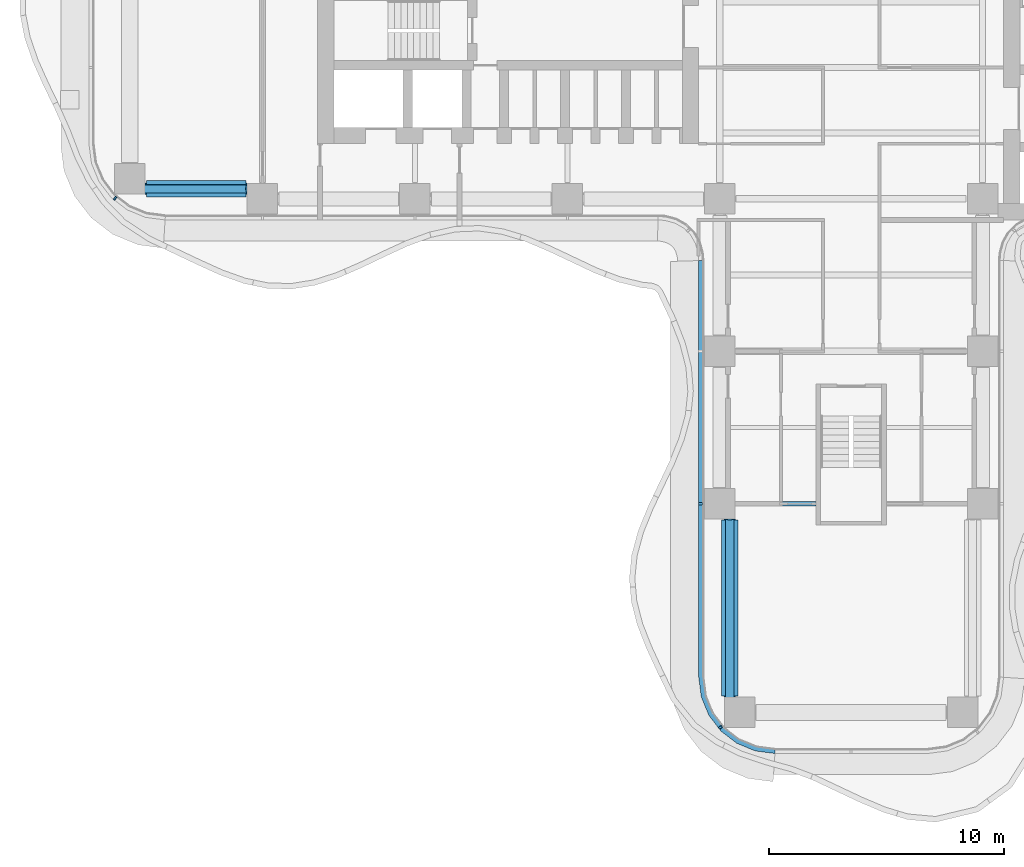
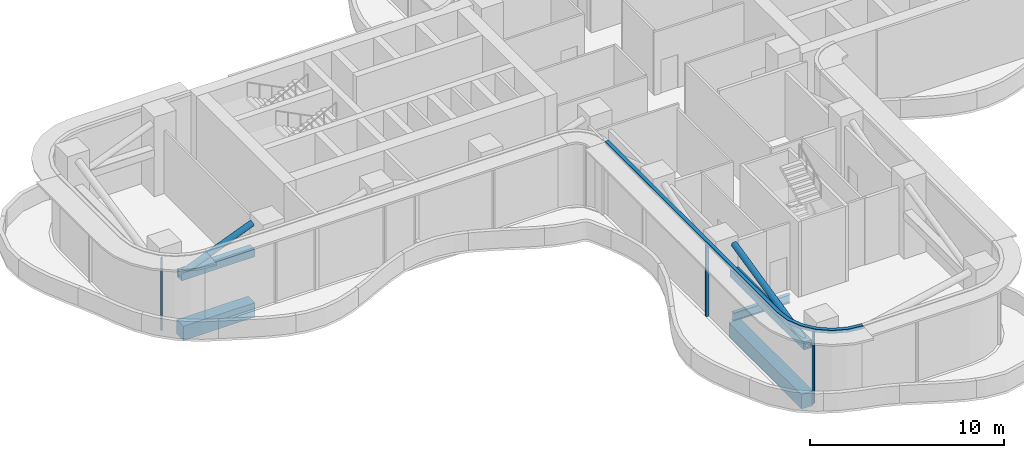
# One storey, part 2 of 20: 6 members, 5 beams, 2 elements without a shape of their own.
"""IFC4 building model written with IfcOpenShell, lengths in metres."""

from ifc_helpers import new_model, si_unit, direction, frame, origin, origin_2d, place, context, subcontext, project, spatial, polyline, rectangle, hollow_rectangle, hollow_circle, i_section, outline, extrude, source, transform, mapped, material, layer, layer_set, material_profile, profile_set, type_object, element, aggregate, save


model = new_model("IFC4")

# Units and contexts
model_context = context("Model", 3, precision=1e-05, world=origin(), true_north=direction((0.0, 1.0)))
body_context = subcontext(model_context, "Body", "Model", "MODEL_VIEW")
ifc_project = project(units=[si_unit("LENGTHUNIT", "METRE"), si_unit("AREAUNIT", "SQUARE_METRE"), si_unit("VOLUMEUNIT", "CUBIC_METRE"), si_unit("PLANEANGLEUNIT", "RADIAN"), si_unit("MASSUNIT", "GRAM", prefix="KILO")], contexts=[model_context])

# Site, building, storey
site_placement = place(None, origin())
site = spatial("IfcSite", under=ifc_project, at=site_placement, CompositionType="ELEMENT")
building_placement = place(site_placement, origin())
building = spatial("IfcBuilding", under=site, at=building_placement, Name="Trellis Farm Tower", CompositionType="ELEMENT")
storey_placement = place(building_placement, frame((0.0, 0.0, 92.5)))
storey = spatial("IfcBuildingStorey", under=building, at=storey_placement, Name="L19", CompositionType="ELEMENT", Elevation=92.5)

# Curtain wall, member
ifc_material_1 = material(Name="Aluminium and glass curtain wall", Category="aluminium")
ifc_layer_1 = layer(ifc_material_1, 0.196044921875)
ifc_layer_set_1 = layer_set([ifc_layer_1], Name="LOUVRED GLASS CURTAIN WALL CW6")
curtain_wall_type = type_object("IfcCurtainWallType", Name="LOUVRED GLASS CURTAIN WALL CW6", PredefinedType="NOTDEFINED", material=ifc_layer_set_1)
placement = place(storey_placement, origin())
curtain_wall_1 = element("IfcCurtainWall", 1, at=placement, inside=storey, type_object=curtain_wall_type, Name="CW6 003", PredefinedType="NOTDEFINED")
ifc_material_2 = material(Name="Aluminium extrusion 6063-T6", Category="aluminium")
ifc_layer_2 = layer(ifc_material_2, 0.2099609375)
ifc_layer_set_2 = layer_set([ifc_layer_2], Name="Aluminium extrusion 6063-T6")
member_type_1 = type_object("IfcMemberType", Name="CW6 TRANSOM 210x200", PredefinedType="USERDEFINED", material=ifc_layer_set_2)
member_1_placement = place(storey_placement, frame((0.0, 0.0, 4.550048828125)))
member_1 = element("IfcMember", 2, at=member_1_placement, type_object=member_type_1, Name="TR6 003", ObjectType="TRANSOM", PredefinedType="USERDEFINED", context=body_context, shape_type="SweptSolid", body=[
    extrude(outline(polyline([(-6.5, -8.2314453125), (-6.5, -26.0), (-6.38916015625, -26.841064453125), (-6.064697265625, -27.625), (-5.548095703125, -28.298095703125), (-4.875, -28.814697265625), (-4.091064453125, -29.13916015625), (-3.25, -29.25), (-3.236328125, -29.0400390625), (-4.036376953125, -28.9345703125), (-4.76904296875, -28.631103515625), (-5.3984375, -28.1484375), (-5.881103515625, -27.51904296875), (-6.1845703125, -26.786376953125), (-6.2900390625, -25.986328125), (-6.2900390625, -8.224609375), (-6.5, -8.2314453125)])), origin(), (0.0, 0.0, 1.0), 0.199951171875),
])

# Beams
ifc_material_3 = material(Name="Steel S355", Category="steel")
ifc_material_profile_1 = material_profile(ifc_material_3, i_section(OverallWidth=0.209228515625, OverallDepth=0.533203125, WebThickness=0.010009765625, FlangeThickness=0.015625, FilletRadius=0.0126953125, at=origin_2d()), Name="UB 533x210x92")
ifc_profile_set_1 = profile_set([ifc_material_profile_1], Name="Steel S355")
beam_type_1 = type_object("IfcBeamType", Name="UB 533x210x92", PredefinedType="BEAM", material=ifc_profile_set_1)
shared_shape_1 = source(origin(), body_context, "Body", "SweptSolid", [
    extrude(i_section(OverallWidth=0.209228515625, OverallDepth=0.533203125, WebThickness=0.010009765625, FlangeThickness=0.015625, FilletRadius=0.0126953125, at=origin_2d()), origin(), (0.0, 0.0, 1.0), 3.39990234375),
])
beam_1_placement = place(storey_placement, frame((-4.89990234375, -18.60009765625, -0.56640625), z_axis=(1.0, 0.0, 0.0), x_axis=(0.0, 1.0, 0.0)))
element("IfcBeam", 3, at=beam_1_placement, inside=storey, type_object=beam_type_1, Name="Girder", PredefinedType="BEAM", context=body_context, shape_type="MappedRepresentation", body=[
    mapped(shared_shape_1, transform((0.0, 0.0, 0.0))),
])
ifc_material_4 = material(Name="Concrete C60/75", Category="concrete")
ifc_material_profile_2 = material_profile(ifc_material_4, rectangle(XDim=0.699951171875, YDim=0.89990234375, at=origin_2d()), Name="RC spandrel beam 700x900 C60/75")
ifc_profile_set_2 = profile_set([ifc_material_profile_2], Name="Concrete C60/75")
beam_type_2 = type_object("IfcBeamType", Name="RC spandrel beam 700x900 C60/75", PredefinedType="SPANDREL", material=ifc_profile_set_2)
shared_shape_2 = source(origin(), body_context, "Body", "SweptSolid", [
    extrude(rectangle(XDim=0.699951171875, YDim=0.89990234375, at=origin_2d()), origin(), (0.0, 0.0, 1.0), 4.25),
])
beam_2_placement = place(storey_placement, frame((-30.050048828125, -5.175048828125, -0.75), z_axis=(1.0, 0.0, 0.0), x_axis=(0.0, 1.0, 0.0)))
element("IfcBeam", 4, at=beam_2_placement, inside=storey, type_object=beam_type_2, Name="Girder", PredefinedType="SPANDREL", context=body_context, shape_type="MappedRepresentation", body=[
    mapped(shared_shape_2, transform((0.0, 0.0, 0.0))),
])
shared_shape_3 = source(origin(), body_context, "Body", "SweptSolid", [
    extrude(rectangle(XDim=0.699951171875, YDim=0.89990234375, at=origin_2d()), origin(), (0.0, 0.0, 1.0), 7.5),
])
beam_3_placement = place(storey_placement, frame((-5.175048828125, -26.800048828125, -0.75), z_axis=(0.0, 1.0, 0.0), x_axis=(-1.0, 0.0, 0.0)))
element("IfcBeam", 5, at=beam_3_placement, inside=storey, type_object=beam_type_2, Name="Girder", PredefinedType="SPANDREL", context=body_context, shape_type="MappedRepresentation", body=[
    mapped(shared_shape_3, transform((0.0, 0.0, 0.0))),
])
ifc_material_profile_3 = material_profile(ifc_material_3, hollow_rectangle(XDim=0.5, YDim=0.5, WallThickness=0.02001953125, InnerFilletRadius=0.02001953125, OuterFilletRadius=0.030029296875, at=origin_2d()), Name="SHS 500x500x20")
ifc_profile_set_3 = profile_set([ifc_material_profile_3], Name="Steel S355")
beam_type_3 = type_object("IfcBeamType", Name="SHS 500x500x20", PredefinedType="BEAM", material=ifc_profile_set_3)
shared_shape_4 = source(origin(), body_context, "Body", "SweptSolid", [
    extrude(hollow_rectangle(XDim=0.5, YDim=0.5, WallThickness=0.02001953125, InnerFilletRadius=0.02001953125, OuterFilletRadius=0.030029296875, at=origin_2d()), origin(), (0.0, 0.0, 1.0), 4.35009765625),
])
beam_4_placement = place(storey_placement, frame((-30.10009765625, -5.175048828125, 2.75), z_axis=(1.0, 0.0, 0.0), x_axis=(0.0, 1.0, 0.0)))
element("IfcBeam", 6, at=beam_4_placement, inside=storey, type_object=beam_type_3, Name="Outrigger truss chord SHS 500x500x20", PredefinedType="BEAM", context=body_context, shape_type="MappedRepresentation", body=[
    mapped(shared_shape_4, transform((0.0, 0.0, 0.0))),
])
shared_shape_5 = source(origin(), body_context, "Body", "SweptSolid", [
    extrude(hollow_rectangle(XDim=0.5, YDim=0.5, WallThickness=0.02001953125, InnerFilletRadius=0.02001953125, OuterFilletRadius=0.030029296875, at=origin_2d()), origin(), (0.0, 0.0, 1.0), 7.60009765625),
])
beam_5_placement = place(storey_placement, frame((-5.175048828125, -26.85009765625, 2.75), z_axis=(0.0, 1.0, 0.0), x_axis=(-1.0, 0.0, 0.0)))
element("IfcBeam", 7, at=beam_5_placement, inside=storey, type_object=beam_type_3, Name="Outrigger truss chord SHS 500x500x20", PredefinedType="BEAM", context=body_context, shape_type="MappedRepresentation", body=[
    mapped(shared_shape_5, transform((0.0, 0.0, 0.0))),
])

# Members
ifc_material_profile_4 = material_profile(ifc_material_3, hollow_circle(Radius=0.177734375, WallThickness=0.01611328125, at=origin_2d()), Name="CHS 355.6x16")
ifc_profile_set_4 = profile_set([ifc_material_profile_4], Name="Steel S355")
member_type_2 = type_object("IfcMemberType", Name="CHS 355.6x16 brace", PredefinedType="BRACE", material=ifc_profile_set_4)
shared_shape_6 = source(origin(), body_context, "Body", "SweptSolid", [
    extrude(hollow_circle(Radius=0.177734375, WallThickness=0.01611328125, at=origin_2d()), origin(), (0.0, 0.0, 1.0), 4.68896484375),
])
member_2_placement = place(storey_placement, frame((-30.10009765625, -5.175048828125, 2.75), z_axis=(0.927742346061, 0.0, 0.373221300739), x_axis=(0.0, 1.0, 0.0)))
element("IfcMember", 8, at=member_2_placement, inside=storey, type_object=member_type_2, Name="Outrigger truss diagonal CHS 355.6x16", PredefinedType="BRACE", context=body_context, shape_type="MappedRepresentation", body=[
    mapped(shared_shape_6, transform((0.0, 0.0, 0.0))),
])
shared_shape_7 = source(origin(), body_context, "Body", "SweptSolid", [
    extrude(hollow_circle(Radius=0.177734375, WallThickness=0.01611328125, at=origin_2d()), origin(), (0.0, 0.0, 1.0), 7.799072265625),
])
member_3_placement = place(storey_placement, frame((-5.175048828125, -26.85009765625, 2.75), z_axis=(0.0, 0.974499767244, 0.224388510492), x_axis=(-1.0, 0.0, 0.0)))
element("IfcMember", 9, at=member_3_placement, inside=storey, type_object=member_type_2, Name="Outrigger truss diagonal CHS 355.6x16", PredefinedType="BRACE", context=body_context, shape_type="MappedRepresentation", body=[
    mapped(shared_shape_7, transform((0.0, 0.0, 0.0))),
])

# Member
ifc_material_profile_5 = material_profile(ifc_material_2, rectangle(XDim=0.090087890625, YDim=0.159912109375, at=origin_2d()), Name="MULLION 90x160")
ifc_profile_set_5 = profile_set([ifc_material_profile_5], Name="Aluminium extrusion 6063-T6")
member_type_3 = type_object("IfcMemberType", Name="CW6 MULLION 90x160", PredefinedType="MULLION", material=ifc_profile_set_5)
shared_shape_8 = source(origin(), body_context, "Body", "SweptSolid", [
    extrude(rectangle(XDim=0.090087890625, YDim=0.159912109375, at=origin_2d()), origin(), (0.0, 0.0, 1.0), 4.550048828125),
])
member_4_placement = place(storey_placement, frame((-6.419921875, -18.60009765625, 0.0), z_axis=(0.0, 0.0, 1.0), x_axis=(0.0, -1.0, 0.0)))
member_4 = element("IfcMember", 10, at=member_4_placement, type_object=member_type_3, Name="MU6 003-02", PredefinedType="MULLION", context=body_context, shape_type="MappedRepresentation", body=[
    mapped(shared_shape_8, transform((0.0, 0.0, 0.0))),
])

member_5_placement = place(storey_placement, frame((-5.57421875, -28.132568359375, 0.0), z_axis=(0.0, 0.0, 1.0), x_axis=(0.608761429009, -0.793353340291, 0.0)))
member_5 = element("IfcMember", 11, at=member_5_placement, type_object=member_type_3, Name="MU6 003-03", PredefinedType="MULLION", context=body_context, shape_type="MappedRepresentation", body=[
    mapped(shared_shape_8, transform((0.0, 0.0, 0.0))),
])

aggregate(curtain_wall_1, [member_4, member_5, member_1])

# Curtain wall, member
curtain_wall_2 = element("IfcCurtainWall", 12, at=placement, inside=storey, type_object=curtain_wall_type, Name="CW6 016", PredefinedType="NOTDEFINED")
member_6_placement = place(storey_placement, frame((-31.382568359375, -5.57421875, 0.0), z_axis=(0.0, 0.0, 1.0), x_axis=(0.793353340291, -0.608761429009, 0.0)))
member_6 = element("IfcMember", 13, at=member_6_placement, type_object=member_type_3, Name="MU6 016-02", PredefinedType="MULLION", context=body_context, shape_type="MappedRepresentation", body=[
    mapped(shared_shape_8, transform((0.0, 0.0, 0.0))),
])
aggregate(curtain_wall_2, [member_6])

save(model, "model.ifc")
